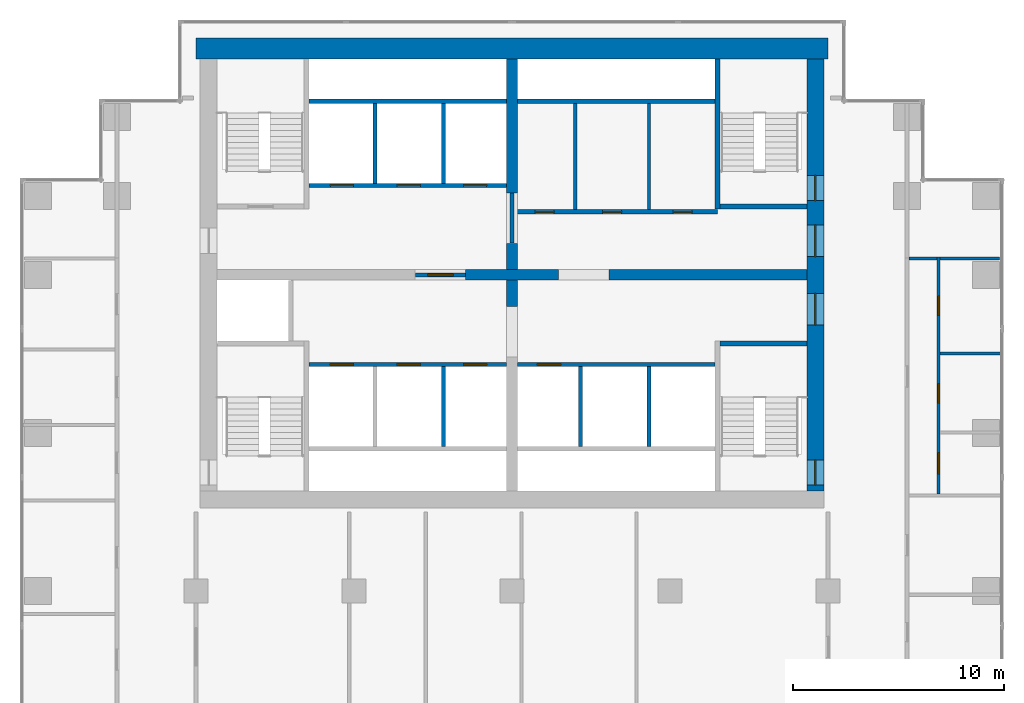
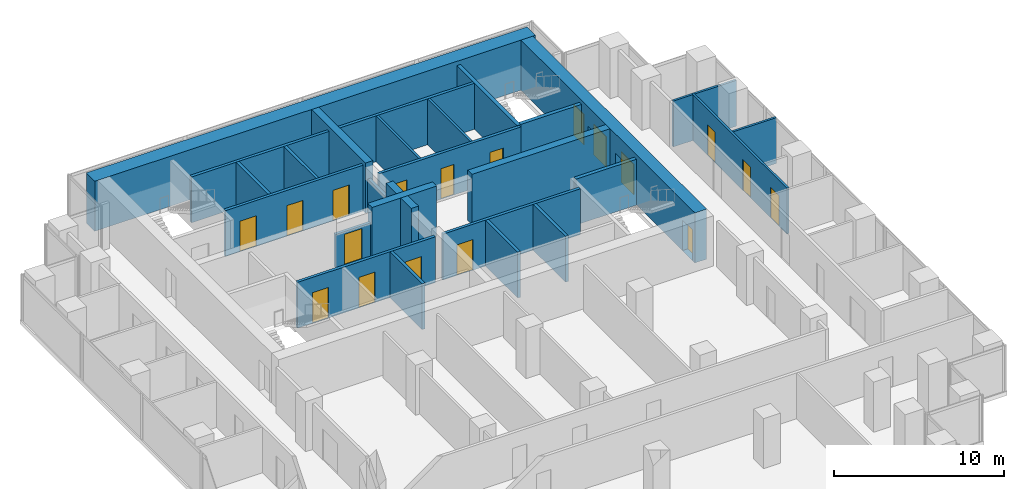
# One storey, part 8 of 10: 29 walls, 18 doors, 18 openings.
"""IFC4 building model written with IfcOpenShell, lengths in metres."""

from ifc_helpers import new_model, si_unit, direction, frame, frame_2d, origin, place, context, subcontext, project, spatial, rectangle, extrude, material, layer, layer_set, type_object, element, fill, save


model = new_model("IFC4")

# Units and contexts
model_context = context("Model", 3, precision=1e-05, world=origin(), true_north=direction((0.0, 1.0)))
body_context = subcontext(model_context, "Body", "Model", "MODEL_VIEW")
ifc_project = project(units=[si_unit("LENGTHUNIT", "METRE"), si_unit("AREAUNIT", "SQUARE_METRE"), si_unit("VOLUMEUNIT", "CUBIC_METRE"), si_unit("PLANEANGLEUNIT", "RADIAN"), si_unit("MASSUNIT", "GRAM", prefix="KILO")], contexts=[model_context])

# Site, building, storey
site_placement = place(None, origin())
site = spatial("IfcSite", under=ifc_project, at=site_placement, CompositionType="ELEMENT")
building_placement = place(site_placement, origin())
building = spatial("IfcBuilding", under=site, at=building_placement, Name="Pilkhan Gate Tower", CompositionType="ELEMENT")
storey_placement = place(building_placement, frame((0.0, 0.0, 132.39990234375)))
storey = spatial("IfcBuildingStorey", under=building, at=storey_placement, Name="L33", CompositionType="ELEMENT", Elevation=132.39990234375)

# Wall
ifc_material_1 = material(Name="Concrete C60/75", Category="concrete")
ifc_layer_1 = layer(ifc_material_1, 1.0)
ifc_layer_set_1 = layer_set([ifc_layer_1], Name="Core wall CW1000 C60/75")
wall_type_1 = type_object("IfcWallType", Name="Core wall CW1000 C60/75", PredefinedType="SHEAR", material=ifc_layer_set_1)
wall_1_placement = place(storey_placement, frame((90.0, 93.25, 0.0), z_axis=(0.0, 0.0, 1.0), x_axis=(-1.0, 0.0, 0.0)))
element("IfcWall", 1, at=wall_1_placement, inside=storey, type_object=wall_type_1, Name="Core wall N L33", PredefinedType="SHEAR", context=body_context, shape_type="SweptSolid", body=[
    extrude(rectangle(XDim=30.0, YDim=1.0, at=frame_2d((15.0, 0.0))), origin(), (0.0, 0.0, 1.0), 3.60009765625),
])

# Wall, openings, doors
ifc_layer_2 = layer(ifc_material_1, 0.800048828125)
ifc_layer_set_2 = layer_set([ifc_layer_2], Name="Core wall CW800 C60/75")
wall_type_2 = type_object("IfcWallType", Name="Core wall CW800 C60/75", PredefinedType="SHEAR", material=ifc_layer_set_2)
wall_2_placement = place(storey_placement, frame((89.39990234375, 72.25, 0.0), z_axis=(0.0, 0.0, 1.0), x_axis=(0.0, 1.0, 0.0)))
wall_2 = element("IfcWall", 2, at=wall_2_placement, inside=storey, type_object=wall_type_2, Name="Core wall E L33", PredefinedType="SHEAR", context=body_context, shape_type="SweptSolid", body=[
    extrude(rectangle(XDim=20.5, YDim=0.800048828125, at=frame_2d((10.25, 0.0))), origin(), (0.0, 0.0, 1.0), 3.60009765625),
])
opening_1_placement = place(wall_2_placement, frame((0.27490234375, 0.0, 0.0)))
opening_1 = element("IfcOpeningElement", 3, at=opening_1_placement, cuts=wall_2, Name="Opening L33-03", PredefinedType="OPENING", context=body_context, shape_type="SweptSolid", body=[
    extrude(rectangle(XDim=1.199951171875, YDim=2.199951171875, at=frame_2d((0.60009765625, 1.10009765625))), frame((0.0, 0.409912109375, 0.0), z_axis=(0.0, -1.0, 0.0), x_axis=(1.0, 0.0, 0.0)), (0.0, 0.0, 1.0), 0.820068359375),
])
opening_2_placement = place(wall_2_placement, frame((13.77490234375, 0.0, 0.0)))
opening_2 = element("IfcOpeningElement", 4, at=opening_2_placement, cuts=wall_2, Name="Opening L33-05", PredefinedType="OPENING", context=body_context, shape_type="SweptSolid", body=[
    extrude(rectangle(XDim=1.199951171875, YDim=2.199951171875, at=frame_2d((0.60009765625, 1.10009765625))), frame((0.0, 0.409912109375, 0.0), z_axis=(0.0, -1.0, 0.0), x_axis=(1.0, 0.0, 0.0)), (0.0, 0.0, 1.0), 0.820068359375),
])
opening_3_placement = place(wall_2_placement, frame((7.875, 0.0, 0.0)))
opening_3 = element("IfcOpeningElement", 5, at=opening_3_placement, cuts=wall_2, Name="Opening L33-08", PredefinedType="OPENING", context=body_context, shape_type="SweptSolid", body=[
    extrude(rectangle(XDim=1.5, YDim=2.199951171875, at=frame_2d((0.75, 1.10009765625))), frame((0.0, 0.409912109375, 0.0), z_axis=(0.0, -1.0, 0.0), x_axis=(1.0, 0.0, 0.0)), (0.0, 0.0, 1.0), 0.820068359375),
])
opening_4_placement = place(wall_2_placement, frame((11.125, 0.0, 0.0)))
opening_4 = element("IfcOpeningElement", 6, at=opening_4_placement, cuts=wall_2, Name="Opening L33-10", PredefinedType="OPENING", context=body_context, shape_type="SweptSolid", body=[
    extrude(rectangle(XDim=1.5, YDim=2.199951171875, at=frame_2d((0.75, 1.10009765625))), frame((0.0, 0.409912109375, 0.0), z_axis=(0.0, -1.0, 0.0), x_axis=(1.0, 0.0, 0.0)), (0.0, 0.0, 1.0), 0.820068359375),
])
ifc_material_2 = material(Name="Steel framed glazed door, 60 minute fire resisting", Category="steel")
door_type_1 = type_object("IfcDoorType", Name="Lobby door D09 1500x2200", OperationType="DOUBLE_DOOR_SINGLE_SWING", PredefinedType="DOOR", material=ifc_material_2)
door_1_placement = place(opening_3_placement, origin())
door_1 = element("IfcDoor", 7, at=door_1_placement, inside=storey, type_object=door_type_1, Name="Core door", OperationType="DOUBLE_DOOR_SINGLE_SWING", OverallHeight=2.199951171875, OverallWidth=1.5, PredefinedType="DOOR", context=body_context, shape_type="SweptSolid", body=[
    extrude(rectangle(XDim=1.5, YDim=2.199951171875, at=frame_2d((0.75, 1.10009765625))), frame((0.0, 0.02490234375, 0.0), z_axis=(0.0, -1.0, 0.0), x_axis=(1.0, 0.0, 0.0)), (0.0, 0.0, 1.0), 0.050048828125),
])
fill(opening_3, door_1)
door_2_placement = place(opening_4_placement, origin())
door_2 = element("IfcDoor", 8, at=door_2_placement, inside=storey, type_object=door_type_1, Name="Core door", OperationType="DOUBLE_DOOR_SINGLE_SWING", OverallHeight=2.199951171875, OverallWidth=1.5, PredefinedType="DOOR", context=body_context, shape_type="SweptSolid", body=[
    extrude(rectangle(XDim=1.5, YDim=2.199951171875, at=frame_2d((0.75, 1.10009765625))), frame((0.0, 0.02490234375, 0.0), z_axis=(0.0, -1.0, 0.0), x_axis=(1.0, 0.0, 0.0)), (0.0, 0.0, 1.0), 0.050048828125),
])
fill(opening_4, door_2)
ifc_material_3 = material(Name="Steel door, 120 minute fire resisting, panic bar", Category="steel")
door_type_2 = type_object("IfcDoorType", Name="Stair door D11 1200x2200", OperationType="SINGLE_SWING_LEFT", PredefinedType="DOOR", material=ifc_material_3)
door_3_placement = place(opening_1_placement, origin())
door_3 = element("IfcDoor", 9, at=door_3_placement, inside=storey, type_object=door_type_2, Name="Stair ST1 door", OperationType="SINGLE_SWING_RIGHT", OverallHeight=2.199951171875, OverallWidth=1.199951171875, PredefinedType="DOOR", context=body_context, shape_type="SweptSolid", body=[
    extrude(rectangle(XDim=1.199951171875, YDim=2.199951171875, at=frame_2d((0.60009765625, 1.10009765625))), frame((0.0, 0.02490234375, 0.0), z_axis=(0.0, -1.0, 0.0), x_axis=(1.0, 0.0, 0.0)), (0.0, 0.0, 1.0), 0.050048828125),
])
fill(opening_1, door_3)
door_4_placement = place(opening_2_placement, origin())
door_4 = element("IfcDoor", 10, at=door_4_placement, inside=storey, type_object=door_type_2, Name="Stair ST4 door", OperationType="SINGLE_SWING_LEFT", OverallHeight=2.199951171875, OverallWidth=1.199951171875, PredefinedType="DOOR", context=body_context, shape_type="SweptSolid", body=[
    extrude(rectangle(XDim=1.199951171875, YDim=2.199951171875, at=frame_2d((0.60009765625, 1.10009765625))), frame((0.0, 0.02490234375, 0.0), z_axis=(0.0, -1.0, 0.0), x_axis=(1.0, 0.0, 0.0)), (0.0, 0.0, 1.0), 0.050048828125),
])
fill(opening_2, door_4)

# Wall, opening, door
ifc_material_4 = material(Name="Dense blockwork", Category="masonry")
ifc_layer_3 = layer(ifc_material_4, 0.199951171875)
ifc_layer_set_3 = layer_set([ifc_layer_3], Name="Lobby wall LW200")
wall_type_3 = type_object("IfcWallType", Name="Lobby wall LW200", PredefinedType="PARTITIONING", material=ifc_layer_set_3)
wall_3_placement = place(storey_placement, frame((70.409912109375, 82.5, 0.0), z_axis=(0.0, 0.0, 1.0), x_axis=(1.0, 0.0, 0.0)))
wall_3 = element("IfcWall", 11, at=wall_3_placement, inside=storey, type_object=wall_type_3, Name="Partition L33", PredefinedType="PARTITIONING", context=body_context, shape_type="SweptSolid", body=[
    extrude(rectangle(XDim=2.380126953125, YDim=0.199951171875, at=frame_2d((1.18994140625, 0.0))), origin(), (0.0, 0.0, 1.0), 2.400146484375),
])
opening_5_placement = place(wall_3_placement, frame((0.60009765625, 0.0, 0.0)))
opening_5 = element("IfcOpeningElement", 12, at=opening_5_placement, cuts=wall_3, Name="Opening L33-01", PredefinedType="OPENING", context=body_context, shape_type="SweptSolid", body=[
    extrude(rectangle(XDim=1.199951171875, YDim=2.199951171875, at=frame_2d((0.60009765625, 1.10009765625))), frame((0.0, 0.10986328125, 0.0), z_axis=(0.0, -1.0, 0.0), x_axis=(1.0, 0.0, 0.0)), (0.0, 0.0, 1.0), 0.219970703125),
])
ifc_material_5 = material(Name="Steel door, 120 minute fire resisting, self-closing", Category="steel")
door_type_3 = type_object("IfcDoorType", Name="Firefighting lobby door D10 1200x2200", OperationType="SINGLE_SWING_LEFT", PredefinedType="DOOR", material=ifc_material_5)
door_5_placement = place(opening_5_placement, origin())
door_5 = element("IfcDoor", 13, at=door_5_placement, inside=storey, type_object=door_type_3, Name="Firefighting lobby door", OperationType="SINGLE_SWING_RIGHT", OverallHeight=2.199951171875, OverallWidth=1.199951171875, PredefinedType="DOOR", context=body_context, shape_type="SweptSolid", body=[
    extrude(rectangle(XDim=1.199951171875, YDim=2.199951171875, at=frame_2d((0.60009765625, 1.10009765625))), frame((0.0, 0.02490234375, 0.0), z_axis=(0.0, -1.0, 0.0), x_axis=(1.0, 0.0, 0.0)), (0.0, 0.0, 1.0), 0.050048828125),
])
fill(opening_5, door_5)

# Wall, openings, doors
wall_4_placement = place(storey_placement, frame((75.10009765625, 85.5, 0.0), z_axis=(0.0, 0.0, 1.0), x_axis=(1.0, 0.0, 0.0)))
wall_4 = element("IfcWall", 14, at=wall_4_placement, inside=storey, type_object=wall_type_3, Name="Partition L33", PredefinedType="PARTITIONING", context=body_context, shape_type="SweptSolid", body=[
    extrude(rectangle(XDim=9.64990234375, YDim=0.199951171875, at=frame_2d((4.824951171875, 0.0))), origin(), (0.0, 0.0, 1.0), 3.300048828125),
])
opening_6_placement = place(wall_4_placement, frame((1.0, 0.0, 0.0)))
opening_6 = element("IfcOpeningElement", 15, at=opening_6_placement, cuts=wall_4, Name="Opening L33-11", PredefinedType="OPENING", context=body_context, shape_type="SweptSolid", body=[
    extrude(rectangle(XDim=0.89990234375, YDim=2.199951171875, at=frame_2d((0.449951171875, 1.10009765625))), frame((0.0, 0.10986328125, 0.0), z_axis=(0.0, -1.0, 0.0), x_axis=(1.0, 0.0, 0.0)), (0.0, 0.0, 1.0), 0.219970703125),
])
opening_7_placement = place(wall_4_placement, frame((4.199951171875, 0.0, 0.0)))
opening_7 = element("IfcOpeningElement", 16, at=opening_7_placement, cuts=wall_4, Name="Opening L33-12", PredefinedType="OPENING", context=body_context, shape_type="SweptSolid", body=[
    extrude(rectangle(XDim=0.89990234375, YDim=2.199951171875, at=frame_2d((0.449951171875, 1.10009765625))), frame((0.0, 0.10986328125, 0.0), z_axis=(0.0, -1.0, 0.0), x_axis=(1.0, 0.0, 0.0)), (0.0, 0.0, 1.0), 0.219970703125),
])
opening_8_placement = place(wall_4_placement, frame((7.550048828125, 0.0, 0.0)))
opening_8 = element("IfcOpeningElement", 17, at=opening_8_placement, cuts=wall_4, Name="Opening L33-13", PredefinedType="OPENING", context=body_context, shape_type="SweptSolid", body=[
    extrude(rectangle(XDim=0.89990234375, YDim=2.199951171875, at=frame_2d((0.449951171875, 1.10009765625))), frame((0.0, 0.10986328125, 0.0), z_axis=(0.0, -1.0, 0.0), x_axis=(1.0, 0.0, 0.0)), (0.0, 0.0, 1.0), 0.219970703125),
])
ifc_material_6 = material(Name="Timber flush door, 60 minute fire resisting, self-closing", Category="wood")
door_type_4 = type_object("IfcDoorType", Name="Store door D05 900x2200", OperationType="SINGLE_SWING_LEFT", PredefinedType="DOOR", material=ifc_material_6)
door_6_placement = place(opening_7_placement, origin())
door_6 = element("IfcDoor", 18, at=door_6_placement, inside=storey, type_object=door_type_4, Name="Store door", OperationType="SINGLE_SWING_RIGHT", OverallHeight=2.199951171875, OverallWidth=0.89990234375, PredefinedType="DOOR", context=body_context, shape_type="SweptSolid", body=[
    extrude(rectangle(XDim=0.89990234375, YDim=2.199951171875, at=frame_2d((0.449951171875, 1.10009765625))), frame((0.0, 0.02490234375, 0.0), z_axis=(0.0, -1.0, 0.0), x_axis=(1.0, 0.0, 0.0)), (0.0, 0.0, 1.0), 0.050048828125),
])
fill(opening_7, door_6)
door_7_placement = place(opening_8_placement, origin())
door_7 = element("IfcDoor", 19, at=door_7_placement, inside=storey, type_object=door_type_4, Name="Store door", OperationType="SINGLE_SWING_LEFT", OverallHeight=2.199951171875, OverallWidth=0.89990234375, PredefinedType="DOOR", context=body_context, shape_type="SweptSolid", body=[
    extrude(rectangle(XDim=0.89990234375, YDim=2.199951171875, at=frame_2d((0.449951171875, 1.10009765625))), frame((0.0, 0.02490234375, 0.0), z_axis=(0.0, -1.0, 0.0), x_axis=(1.0, 0.0, 0.0)), (0.0, 0.0, 1.0), 0.050048828125),
])
fill(opening_8, door_7)
ifc_material_7 = material(Name="Timber flush door, 30 minute fire resisting", Category="wood")
door_type_5 = type_object("IfcDoorType", Name="Toilet door D06 900x2200", OperationType="SINGLE_SWING_LEFT", PredefinedType="DOOR", material=ifc_material_7)
door_8_placement = place(opening_6_placement, origin())
door_8 = element("IfcDoor", 20, at=door_8_placement, inside=storey, type_object=door_type_5, Name="Toilet door", OperationType="SINGLE_SWING_RIGHT", OverallHeight=2.199951171875, OverallWidth=0.89990234375, PredefinedType="DOOR", context=body_context, shape_type="SweptSolid", body=[
    extrude(rectangle(XDim=0.89990234375, YDim=2.199951171875, at=frame_2d((0.449951171875, 1.10009765625))), frame((0.0, 0.02490234375, 0.0), z_axis=(0.0, -1.0, 0.0), x_axis=(1.0, 0.0, 0.0)), (0.0, 0.0, 1.0), 0.050048828125),
])
fill(opening_6, door_8)

# Walls
wall_5_placement = place(storey_placement, frame((75.260009765625, 90.75, 0.0), z_axis=(0.0, 0.0, 1.0), x_axis=(1.0, 0.0, 0.0)))
element("IfcWall", 21, at=wall_5_placement, inside=storey, type_object=wall_type_3, Name="Partition L33", PredefinedType="PARTITIONING", context=body_context, shape_type="SweptSolid", body=[
    extrude(rectangle(XDim=9.364990234375, YDim=0.199951171875, at=frame_2d((4.6826171875, 0.0))), origin(), (0.0, 0.0, 1.0), 3.300048828125),
])
wall_6_placement = place(storey_placement, frame((75.0, 84.010009765625, 0.0), z_axis=(0.0, 0.0, 1.0), x_axis=(0.0, 1.0, 0.0)))
element("IfcWall", 22, at=wall_6_placement, inside=storey, type_object=wall_type_3, Name="Partition L33", PredefinedType="PARTITIONING", context=body_context, shape_type="SweptSolid", body=[
    extrude(rectangle(XDim=2.3798828125, YDim=0.199951171875, at=frame_2d((1.18994140625, 0.0))), origin(), (0.0, 0.0, 1.0), 2.400146484375),
])
ifc_material_8 = material(Name="Blockwork partition, plastered both sides", Category="masonry")
ifc_layer_4 = layer(ifc_material_8, 0.14990234375)
ifc_layer_set_4 = layer_set([ifc_layer_4], Name="Partition PW150")
wall_type_4 = type_object("IfcWallType", Name="Partition PW150", PredefinedType="PARTITIONING", material=ifc_layer_set_4)
wall_7_placement = place(storey_placement, frame((95.324951171875, 78.780029296875, 0.0), z_axis=(0.0, 0.0, 1.0), x_axis=(1.0, 0.0, 0.0)))
element("IfcWall", 23, at=wall_7_placement, inside=storey, type_object=wall_type_4, Name="Partition L33", PredefinedType="PARTITIONING", context=body_context, shape_type="SweptSolid", body=[
    extrude(rectangle(XDim=2.93994140625, YDim=0.14990234375, at=frame_2d((1.469970703125, 0.0))), origin(), (0.0, 0.0, 1.0), 3.300048828125),
])
wall_8_placement = place(storey_placement, frame((93.85009765625, 83.280029296875, 0.0), z_axis=(0.0, 0.0, 1.0), x_axis=(1.0, 0.0, 0.0)))
element("IfcWall", 24, at=wall_8_placement, inside=storey, type_object=wall_type_4, Name="Partition L33", PredefinedType="PARTITIONING", context=body_context, shape_type="SweptSolid", body=[
    extrude(rectangle(XDim=1.324951171875, YDim=0.14990234375, at=frame_2d((0.66259765625, 0.0))), origin(), (0.0, 0.0, 1.0), 3.300048828125),
])
wall_9_placement = place(storey_placement, frame((95.324951171875, 83.280029296875, 0.0), z_axis=(0.0, 0.0, 1.0), x_axis=(1.0, 0.0, 0.0)))
element("IfcWall", 25, at=wall_9_placement, inside=storey, type_object=wall_type_4, Name="Partition L33", PredefinedType="PARTITIONING", context=body_context, shape_type="SweptSolid", body=[
    extrude(rectangle(XDim=2.820068359375, YDim=0.14990234375, at=frame_2d((1.41015625, 0.0))), origin(), (0.0, 0.0, 1.0), 3.300048828125),
])
for number, where, z_axis, x_axis, name in (
    (26, (78.0, 85.60009765625, 0.0), (0.0, 0.0, 1.0), (0.0, 1.0, 0.0), "Partition L33"),
    (27, (81.5, 85.60009765625, 0.0), (0.0, 0.0, 1.0), (0.0, 1.0, 0.0), "Partition L33"),
):
    element("IfcWall", number, at=place(storey_placement, frame(where, z_axis=z_axis, x_axis=x_axis)), inside=storey, type_object=wall_type_4, Name=name, PredefinedType="PARTITIONING", context=body_context, shape_type="SweptSolid", body=[
        extrude(rectangle(XDim=5.0498046875, YDim=0.14990234375, at=frame_2d((2.52490234375, 0.0))), origin(), (0.0, 0.0, 1.0), 3.300048828125),
    ])

# Wall, openings, doors
wall_10_placement = place(storey_placement, frame((95.25, 72.10498046875, 0.0), z_axis=(0.0, 0.0, 1.0), x_axis=(0.0, 1.0, 0.0)))
wall_10 = element("IfcWall", 28, at=wall_10_placement, inside=storey, type_object=wall_type_4, Name="Partition L33", PredefinedType="PARTITIONING", context=body_context, shape_type="SweptSolid", body=[
    extrude(rectangle(XDim=11.25, YDim=0.14990234375, at=frame_2d((5.625, 0.0))), origin(), (0.0, 0.0, 1.0), 3.300048828125),
])
opening_9_placement = place(wall_10_placement, frame((0.949951171875, 0.0, 0.0)))
opening_9 = element("IfcOpeningElement", 29, at=opening_9_placement, cuts=wall_10, Name="Opening L33-22", PredefinedType="OPENING", context=body_context, shape_type="SweptSolid", body=[
    extrude(rectangle(XDim=1.0, YDim=2.199951171875, at=frame_2d((0.5, 1.10009765625))), frame((0.0, 0.0849609375, 0.0), z_axis=(0.0, -1.0, 0.0), x_axis=(1.0, 0.0, 0.0)), (0.0, 0.0, 1.0), 0.169921875),
])
opening_10_placement = place(wall_10_placement, frame((4.324951171875, 0.0, 0.0)))
opening_10 = element("IfcOpeningElement", 30, at=opening_10_placement, cuts=wall_10, Name="Opening L33-23", PredefinedType="OPENING", context=body_context, shape_type="SweptSolid", body=[
    extrude(rectangle(XDim=0.89990234375, YDim=2.199951171875, at=frame_2d((0.449951171875, 1.10009765625))), frame((0.0, 0.0849609375, 0.0), z_axis=(0.0, -1.0, 0.0), x_axis=(1.0, 0.0, 0.0)), (0.0, 0.0, 1.0), 0.169921875),
])
opening_11_placement = place(wall_10_placement, frame((8.47509765625, 0.0, 0.0)))
opening_11 = element("IfcOpeningElement", 31, at=opening_11_placement, cuts=wall_10, Name="Opening L33-24", PredefinedType="OPENING", context=body_context, shape_type="SweptSolid", body=[
    extrude(rectangle(XDim=0.89990234375, YDim=2.199951171875, at=frame_2d((0.449951171875, 1.10009765625))), frame((0.0, 0.0849609375, 0.0), z_axis=(0.0, -1.0, 0.0), x_axis=(1.0, 0.0, 0.0)), (0.0, 0.0, 1.0), 0.169921875),
])
ifc_material_9 = material(Name="Timber flush door, outward opening, 30 minute fire resisting", Category="wood")
door_type_6 = type_object("IfcDoorType", Name="Accessible toilet door D07 1000x2200", OperationType="SINGLE_SWING_LEFT", PredefinedType="DOOR", material=ifc_material_9)
door_9_placement = place(opening_9_placement, origin())
door_9 = element("IfcDoor", 32, at=door_9_placement, inside=storey, type_object=door_type_6, Name="Accessible toilet door", OperationType="SINGLE_SWING_RIGHT", OverallHeight=2.199951171875, OverallWidth=1.0, PredefinedType="DOOR", context=body_context, shape_type="SweptSolid", body=[
    extrude(rectangle(XDim=1.0, YDim=2.199951171875, at=frame_2d((0.5, 1.10009765625))), frame((0.0, 0.02490234375, 0.0), z_axis=(0.0, -1.0, 0.0), x_axis=(1.0, 0.0, 0.0)), (0.0, 0.0, 1.0), 0.050048828125),
])
fill(opening_9, door_9)
door_10_placement = place(opening_10_placement, origin())
door_10 = element("IfcDoor", 33, at=door_10_placement, inside=storey, type_object=door_type_5, Name="Toilet door", OperationType="SINGLE_SWING_LEFT", OverallHeight=2.199951171875, OverallWidth=0.89990234375, PredefinedType="DOOR", context=body_context, shape_type="SweptSolid", body=[
    extrude(rectangle(XDim=0.89990234375, YDim=2.199951171875, at=frame_2d((0.449951171875, 1.10009765625))), frame((0.0, 0.02490234375, 0.0), z_axis=(0.0, -1.0, 0.0), x_axis=(1.0, 0.0, 0.0)), (0.0, 0.0, 1.0), 0.050048828125),
])
fill(opening_10, door_10)
door_11_placement = place(opening_11_placement, origin())
door_11 = element("IfcDoor", 34, at=door_11_placement, inside=storey, type_object=door_type_5, Name="Toilet door", OperationType="SINGLE_SWING_LEFT", OverallHeight=2.199951171875, OverallWidth=0.89990234375, PredefinedType="DOOR", context=body_context, shape_type="SweptSolid", body=[
    extrude(rectangle(XDim=0.89990234375, YDim=2.199951171875, at=frame_2d((0.449951171875, 1.10009765625))), frame((0.0, 0.02490234375, 0.0), z_axis=(0.0, -1.0, 0.0), x_axis=(1.0, 0.0, 0.0)), (0.0, 0.0, 1.0), 0.050048828125),
])
fill(opening_11, door_11)

ifc_material_10 = material(Name="Reinforced blockwork shaft wall, 120 minute fire resisting", Category="masonry")
ifc_layer_5 = layer(ifc_material_10, 0.199951171875)
ifc_layer_set_5 = layer_set([ifc_layer_5], Name="Shaft wall SW200")
wall_type_5 = type_object("IfcWallType", Name="Shaft wall SW200", PredefinedType="PARTITIONING", material=ifc_layer_set_5)
wall_11_placement = place(storey_placement, frame((65.375, 78.25, 0.0), z_axis=(0.0, 0.0, 1.0), x_axis=(1.0, 0.0, 0.0)))
wall_11 = element("IfcWall", 35, at=wall_11_placement, inside=storey, type_object=wall_type_5, Name="Partition L33", PredefinedType="PARTITIONING", context=body_context, shape_type="SweptSolid", body=[
    extrude(rectangle(XDim=9.364990234375, YDim=0.199951171875, at=frame_2d((4.6826171875, 0.0))), origin(), (0.0, 0.0, 1.0), 3.300048828125),
])
opening_12_placement = place(wall_11_placement, frame((1.0, 0.0, 0.0)))
opening_12 = element("IfcOpeningElement", 36, at=opening_12_placement, cuts=wall_11, Name="Opening LD", PredefinedType="OPENING", context=body_context, shape_type="SweptSolid", body=[
    extrude(rectangle(XDim=1.10009765625, YDim=2.199951171875, at=frame_2d((0.550048828125, 1.10009765625))), frame((0.0, 0.10986328125, 0.0), z_axis=(0.0, -1.0, 0.0), x_axis=(1.0, 0.0, 0.0)), (0.0, 0.0, 1.0), 0.219970703125),
])
opening_13_placement = place(wall_11_placement, frame((4.175048828125, 0.0, 0.0)))
opening_13 = element("IfcOpeningElement", 37, at=opening_13_placement, cuts=wall_11, Name="Opening LD", PredefinedType="OPENING", context=body_context, shape_type="SweptSolid", body=[
    extrude(rectangle(XDim=1.10009765625, YDim=2.199951171875, at=frame_2d((0.550048828125, 1.10009765625))), frame((0.0, 0.10986328125, 0.0), z_axis=(0.0, -1.0, 0.0), x_axis=(1.0, 0.0, 0.0)), (0.0, 0.0, 1.0), 0.219970703125),
])
opening_14_placement = place(wall_11_placement, frame((7.324951171875, 0.0, 0.0)))
opening_14 = element("IfcOpeningElement", 38, at=opening_14_placement, cuts=wall_11, Name="Opening LD", PredefinedType="OPENING", context=body_context, shape_type="SweptSolid", body=[
    extrude(rectangle(XDim=1.10009765625, YDim=2.199951171875, at=frame_2d((0.550048828125, 1.10009765625))), frame((0.0, 0.10986328125, 0.0), z_axis=(0.0, -1.0, 0.0), x_axis=(1.0, 0.0, 0.0)), (0.0, 0.0, 1.0), 0.219970703125),
])
ifc_material_11 = material(Name="Stainless steel centre-opening landing door, 120 minute fire resisting", Category="steel")
door_type_7 = type_object("IfcDoorType", Name="Lift landing door LD 1100x2200", OperationType="DOUBLE_DOOR_SLIDING", PredefinedType="DOOR", material=ifc_material_11)
door_12_placement = place(opening_12_placement, origin())
door_12 = element("IfcDoor", 39, at=door_12_placement, inside=storey, type_object=door_type_7, Name="Landing door LR1", OperationType="DOUBLE_DOOR_SLIDING", OverallHeight=2.199951171875, OverallWidth=1.10009765625, PredefinedType="DOOR", context=body_context, shape_type="SweptSolid", body=[
    extrude(rectangle(XDim=1.10009765625, YDim=2.199951171875, at=frame_2d((0.550048828125, 1.10009765625))), frame((0.0, 0.02490234375, 0.0), z_axis=(0.0, -1.0, 0.0), x_axis=(1.0, 0.0, 0.0)), (0.0, 0.0, 1.0), 0.050048828125),
])
fill(opening_12, door_12)
door_13_placement = place(opening_13_placement, origin())
door_13 = element("IfcDoor", 40, at=door_13_placement, inside=storey, type_object=door_type_7, Name="Landing door LR2", OperationType="DOUBLE_DOOR_SLIDING", OverallHeight=2.199951171875, OverallWidth=1.10009765625, PredefinedType="DOOR", context=body_context, shape_type="SweptSolid", body=[
    extrude(rectangle(XDim=1.10009765625, YDim=2.199951171875, at=frame_2d((0.550048828125, 1.10009765625))), frame((0.0, 0.02490234375, 0.0), z_axis=(0.0, -1.0, 0.0), x_axis=(1.0, 0.0, 0.0)), (0.0, 0.0, 1.0), 0.050048828125),
])
fill(opening_13, door_13)
door_14_placement = place(opening_14_placement, origin())
door_14 = element("IfcDoor", 41, at=door_14_placement, inside=storey, type_object=door_type_7, Name="Landing door LR3", OperationType="DOUBLE_DOOR_SLIDING", OverallHeight=2.199951171875, OverallWidth=1.10009765625, PredefinedType="DOOR", context=body_context, shape_type="SweptSolid", body=[
    extrude(rectangle(XDim=1.10009765625, YDim=2.199951171875, at=frame_2d((0.550048828125, 1.10009765625))), frame((0.0, 0.02490234375, 0.0), z_axis=(0.0, -1.0, 0.0), x_axis=(1.0, 0.0, 0.0)), (0.0, 0.0, 1.0), 0.050048828125),
])
fill(opening_14, door_14)

# Wall, opening, door
wall_12_placement = place(storey_placement, frame((75.260009765625, 78.25, 0.0), z_axis=(0.0, 0.0, 1.0), x_axis=(1.0, 0.0, 0.0)))
wall_12 = element("IfcWall", 42, at=wall_12_placement, inside=storey, type_object=wall_type_5, Name="Partition L33", PredefinedType="PARTITIONING", context=body_context, shape_type="SweptSolid", body=[
    extrude(rectangle(XDim=9.364990234375, YDim=0.199951171875, at=frame_2d((4.6826171875, 0.0))), origin(), (0.0, 0.0, 1.0), 3.300048828125),
])
opening_15_placement = place(wall_12_placement, frame((0.949951171875, 0.0, 0.0)))
opening_15 = element("IfcOpeningElement", 43, at=opening_15_placement, cuts=wall_12, Name="Opening LD", PredefinedType="OPENING", context=body_context, shape_type="SweptSolid", body=[
    extrude(rectangle(XDim=1.10009765625, YDim=2.199951171875, at=frame_2d((0.550048828125, 1.10009765625))), frame((0.0, 0.10986328125, 0.0), z_axis=(0.0, -1.0, 0.0), x_axis=(1.0, 0.0, 0.0)), (0.0, 0.0, 1.0), 0.219970703125),
])
door_15_placement = place(opening_15_placement, origin())
door_15 = element("IfcDoor", 44, at=door_15_placement, inside=storey, type_object=door_type_7, Name="Landing door LR4", OperationType="DOUBLE_DOOR_SLIDING", OverallHeight=2.199951171875, OverallWidth=1.10009765625, PredefinedType="DOOR", context=body_context, shape_type="SweptSolid", body=[
    extrude(rectangle(XDim=1.10009765625, YDim=2.199951171875, at=frame_2d((0.550048828125, 1.10009765625))), frame((0.0, 0.02490234375, 0.0), z_axis=(0.0, -1.0, 0.0), x_axis=(1.0, 0.0, 0.0)), (0.0, 0.0, 1.0), 0.050048828125),
])
fill(opening_15, door_15)

# Wall, openings, doors
wall_13_placement = place(storey_placement, frame((65.375, 86.75, 0.0), z_axis=(0.0, 0.0, 1.0), x_axis=(1.0, 0.0, 0.0)))
wall_13 = element("IfcWall", 45, at=wall_13_placement, inside=storey, type_object=wall_type_5, Name="Partition L33", PredefinedType="PARTITIONING", context=body_context, shape_type="SweptSolid", body=[
    extrude(rectangle(XDim=9.364990234375, YDim=0.199951171875, at=frame_2d((4.6826171875, 0.0))), origin(), (0.0, 0.0, 1.0), 3.300048828125),
])
opening_16_placement = place(wall_13_placement, frame((1.0, 0.0, 0.0)))
opening_16 = element("IfcOpeningElement", 46, at=opening_16_placement, cuts=wall_13, Name="Opening LD", PredefinedType="OPENING", context=body_context, shape_type="SweptSolid", body=[
    extrude(rectangle(XDim=1.10009765625, YDim=2.199951171875, at=frame_2d((0.550048828125, 1.10009765625))), frame((0.0, 0.10986328125, 0.0), z_axis=(0.0, -1.0, 0.0), x_axis=(1.0, 0.0, 0.0)), (0.0, 0.0, 1.0), 0.219970703125),
])
opening_17_placement = place(wall_13_placement, frame((4.175048828125, 0.0, 0.0)))
opening_17 = element("IfcOpeningElement", 47, at=opening_17_placement, cuts=wall_13, Name="Opening LD", PredefinedType="OPENING", context=body_context, shape_type="SweptSolid", body=[
    extrude(rectangle(XDim=1.10009765625, YDim=2.199951171875, at=frame_2d((0.550048828125, 1.10009765625))), frame((0.0, 0.10986328125, 0.0), z_axis=(0.0, -1.0, 0.0), x_axis=(1.0, 0.0, 0.0)), (0.0, 0.0, 1.0), 0.219970703125),
])
opening_18_placement = place(wall_13_placement, frame((7.324951171875, 0.0, 0.0)))
opening_18 = element("IfcOpeningElement", 48, at=opening_18_placement, cuts=wall_13, Name="Opening LD", PredefinedType="OPENING", context=body_context, shape_type="SweptSolid", body=[
    extrude(rectangle(XDim=1.10009765625, YDim=2.199951171875, at=frame_2d((0.550048828125, 1.10009765625))), frame((0.0, 0.10986328125, 0.0), z_axis=(0.0, -1.0, 0.0), x_axis=(1.0, 0.0, 0.0)), (0.0, 0.0, 1.0), 0.219970703125),
])
door_16_placement = place(opening_16_placement, origin())
door_16 = element("IfcDoor", 49, at=door_16_placement, inside=storey, type_object=door_type_7, Name="Landing door FF1", OperationType="DOUBLE_DOOR_SLIDING", OverallHeight=2.199951171875, OverallWidth=1.10009765625, PredefinedType="DOOR", context=body_context, shape_type="SweptSolid", body=[
    extrude(rectangle(XDim=1.10009765625, YDim=2.199951171875, at=frame_2d((0.550048828125, 1.10009765625))), frame((0.0, 0.02490234375, 0.0), z_axis=(0.0, -1.0, 0.0), x_axis=(1.0, 0.0, 0.0)), (0.0, 0.0, 1.0), 0.050048828125),
])
fill(opening_16, door_16)
door_17_placement = place(opening_17_placement, origin())
door_17 = element("IfcDoor", 50, at=door_17_placement, inside=storey, type_object=door_type_7, Name="Landing door FF2", OperationType="DOUBLE_DOOR_SLIDING", OverallHeight=2.199951171875, OverallWidth=1.10009765625, PredefinedType="DOOR", context=body_context, shape_type="SweptSolid", body=[
    extrude(rectangle(XDim=1.10009765625, YDim=2.199951171875, at=frame_2d((0.550048828125, 1.10009765625))), frame((0.0, 0.02490234375, 0.0), z_axis=(0.0, -1.0, 0.0), x_axis=(1.0, 0.0, 0.0)), (0.0, 0.0, 1.0), 0.050048828125),
])
fill(opening_17, door_17)
door_18_placement = place(opening_18_placement, origin())
door_18 = element("IfcDoor", 51, at=door_18_placement, inside=storey, type_object=door_type_7, Name="Landing door SV1", OperationType="DOUBLE_DOOR_SLIDING", OverallHeight=2.199951171875, OverallWidth=1.10009765625, PredefinedType="DOOR", context=body_context, shape_type="SweptSolid", body=[
    extrude(rectangle(XDim=1.10009765625, YDim=2.199951171875, at=frame_2d((0.550048828125, 1.10009765625))), frame((0.0, 0.02490234375, 0.0), z_axis=(0.0, -1.0, 0.0), x_axis=(1.0, 0.0, 0.0)), (0.0, 0.0, 1.0), 0.050048828125),
])
fill(opening_18, door_18)

# Walls
wall_14_placement = place(storey_placement, frame((65.375, 90.75, 0.0), z_axis=(0.0, 0.0, 1.0), x_axis=(1.0, 0.0, 0.0)))
element("IfcWall", 52, at=wall_14_placement, inside=storey, type_object=wall_type_5, Name="Partition L33", PredefinedType="PARTITIONING", context=body_context, shape_type="SweptSolid", body=[
    extrude(rectangle(XDim=9.364990234375, YDim=0.199951171875, at=frame_2d((4.6826171875, 0.0))), origin(), (0.0, 0.0, 1.0), 3.300048828125),
])
for number, where, z_axis, x_axis, name in (
    (53, (68.5, 86.85009765625, 0.0), (0.0, 0.0, 1.0), (0.0, 1.0, 0.0), "Partition L33"),
    (54, (71.75, 74.35009765625, 0.0), (0.0, 0.0, 1.0), (0.0, 1.0, 0.0), "Partition L33"),
    (55, (71.75, 86.85009765625, 0.0), (0.0, 0.0, 1.0), (0.0, 1.0, 0.0), "Partition L33"),
    (56, (78.25, 74.35009765625, 0.0), (0.0, 0.0, 1.0), (0.0, 1.0, 0.0), "Partition L33"),
    (57, (81.5, 74.35009765625, 0.0), (0.0, 0.0, 1.0), (0.0, 1.0, 0.0), "Partition L33"),
):
    element("IfcWall", number, at=place(storey_placement, frame(where, z_axis=z_axis, x_axis=x_axis)), inside=storey, type_object=wall_type_5, Name=name, PredefinedType="PARTITIONING", context=body_context, shape_type="SweptSolid", body=[
        extrude(rectangle(XDim=3.7998046875, YDim=0.199951171875, at=frame_2d((1.89990234375, 0.0))), origin(), (0.0, 0.0, 1.0), 3.300048828125),
    ])
ifc_layer_6 = layer(ifc_material_1, 0.5)
ifc_layer_set_6 = layer_set([ifc_layer_6], Name="Spine wall SW500 C60/75")
wall_type_6 = type_object("IfcWallType", Name="Spine wall SW500 C60/75", PredefinedType="SHEAR", material=ifc_layer_set_6)
wall_15_placement = place(storey_placement, frame((72.800048828125, 82.5, 0.0), z_axis=(0.0, 0.0, 1.0), x_axis=(1.0, 0.0, 0.0)))
element("IfcWall", 58, at=wall_15_placement, inside=storey, type_object=wall_type_6, Name="Spine wall SP-EW2 L33", PredefinedType="SHEAR", context=body_context, shape_type="SweptSolid", body=[
    extrude(rectangle(XDim=4.39990234375, YDim=0.5, at=frame_2d((2.199951171875, 0.0))), origin(), (0.0, 0.0, 1.0), 3.60009765625),
])
wall_16_placement = place(storey_placement, frame((79.60009765625, 82.5, 0.0), z_axis=(0.0, 0.0, 1.0), x_axis=(1.0, 0.0, 0.0)))
element("IfcWall", 59, at=wall_16_placement, inside=storey, type_object=wall_type_6, Name="Spine wall SP-EW3 L33", PredefinedType="SHEAR", context=body_context, shape_type="SweptSolid", body=[
    extrude(rectangle(XDim=9.39990234375, YDim=0.5, at=frame_2d((4.699951171875, 0.0))), origin(), (0.0, 0.0, 1.0), 3.60009765625),
])
for number, where, z_axis, x_axis, name in (
    (60, (75.0, 81.0, 0.0), (0.0, 0.0, 1.0), (0.0, 1.0, 0.0), "Spine wall SP-NS-S2 L33"),
    (61, (75.0, 82.75, 0.0), (0.0, 0.0, 1.0), (0.0, 1.0, 0.0), "Spine wall SP-NS-N1 L33"),
):
    element("IfcWall", number, at=place(storey_placement, frame(where, z_axis=z_axis, x_axis=x_axis)), inside=storey, type_object=wall_type_6, Name=name, PredefinedType="SHEAR", context=body_context, shape_type="SweptSolid", body=[
        extrude(rectangle(XDim=1.25, YDim=0.5, at=frame_2d((0.625, 0.0))), origin(), (0.0, 0.0, 1.0), 3.60009765625),
    ])
wall_17_placement = place(storey_placement, frame((75.0, 86.39990234375, 0.0), z_axis=(0.0, 0.0, 1.0), x_axis=(0.0, 1.0, 0.0)))
element("IfcWall", 62, at=wall_17_placement, inside=storey, type_object=wall_type_6, Name="Spine wall SP-NS-N2 L33", PredefinedType="SHEAR", context=body_context, shape_type="SweptSolid", body=[
    extrude(rectangle(XDim=6.35009765625, YDim=0.5, at=frame_2d((3.175048828125, 0.0))), origin(), (0.0, 0.0, 1.0), 3.60009765625),
])
ifc_material_12 = material(Name="Reinforced blockwork, 120 minute fire resisting", Category="masonry")
ifc_layer_7 = layer(ifc_material_12, 0.25)
ifc_layer_set_7 = layer_set([ifc_layer_7], Name="Stair enclosure wall SE250")
wall_type_7 = type_object("IfcWallType", Name="Stair enclosure wall SE250", PredefinedType="PARTITIONING", material=ifc_layer_set_7)
for number, where, z_axis, x_axis, name in (
    (63, (84.875, 79.25, 0.0), (0.0, 0.0, 1.0), (1.0, 0.0, 0.0), "Partition L33"),
    (64, (84.875, 85.75, 0.0), (0.0, 0.0, 1.0), (1.0, 0.0, 0.0), "Partition L33"),
):
    element("IfcWall", number, at=place(storey_placement, frame(where, z_axis=z_axis, x_axis=x_axis)), inside=storey, type_object=wall_type_7, Name=name, PredefinedType="PARTITIONING", context=body_context, shape_type="SweptSolid", body=[
        extrude(rectangle(XDim=4.125, YDim=0.25, at=frame_2d((2.0625, 0.0))), origin(), (0.0, 0.0, 1.0), 3.300048828125),
    ])
wall_18_placement = place(storey_placement, frame((84.75, 85.625, 0.0), z_axis=(0.0, 0.0, 1.0), x_axis=(0.0, 1.0, 0.0)))
element("IfcWall", 65, at=wall_18_placement, inside=storey, type_object=wall_type_7, Name="Partition L33", PredefinedType="PARTITIONING", context=body_context, shape_type="SweptSolid", body=[
    extrude(rectangle(XDim=7.114990234375, YDim=0.25, at=frame_2d((3.5576171875, 0.0))), origin(), (0.0, 0.0, 1.0), 3.300048828125),
])

save(model, "model.ifc")
